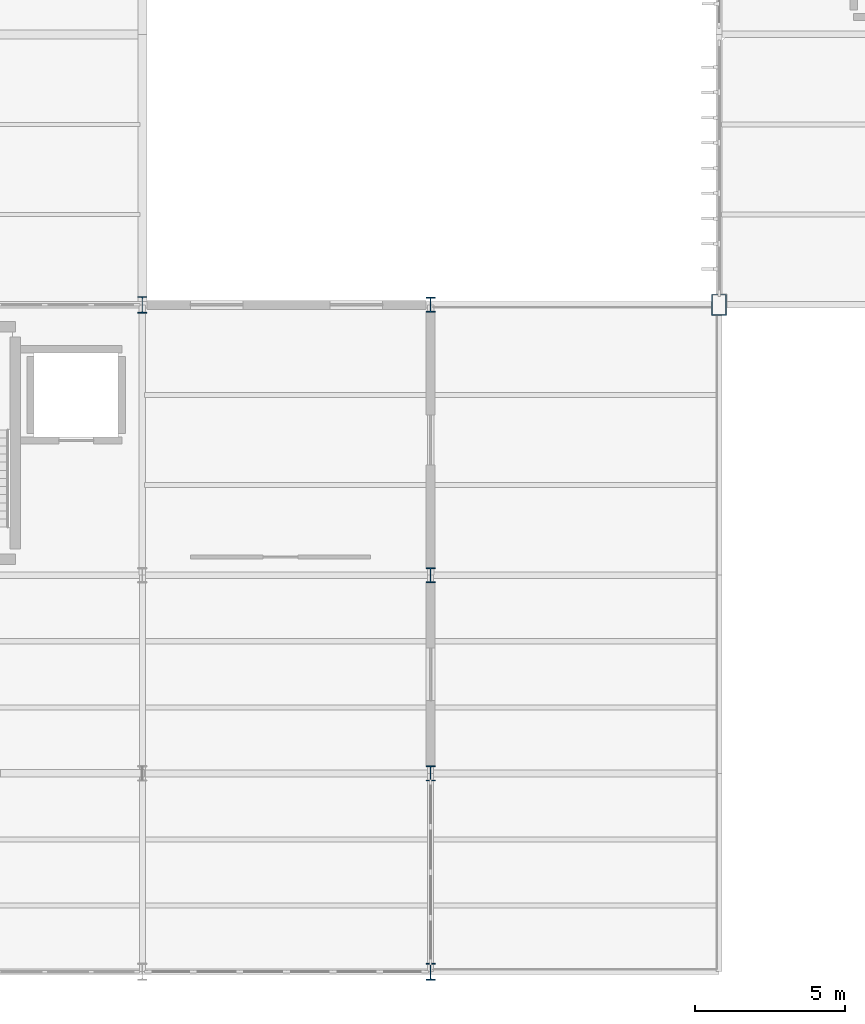
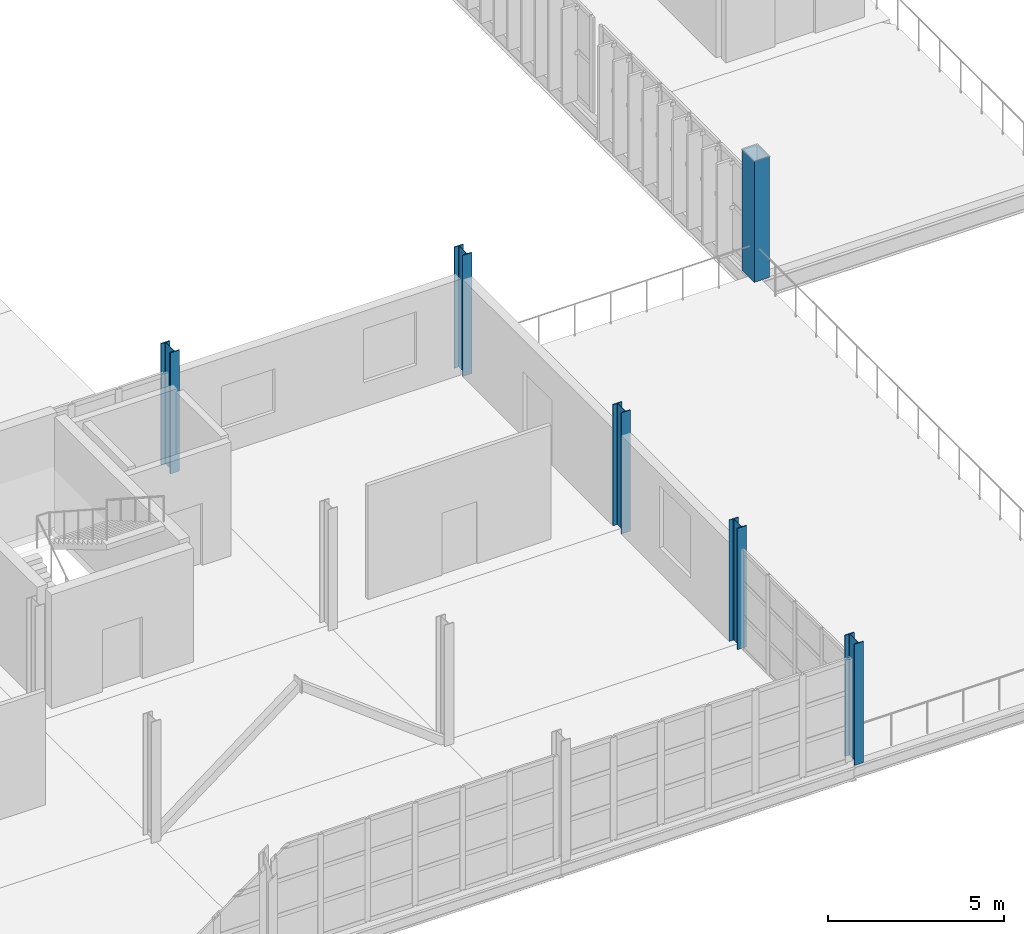
# One storey, part 2 of 82: 6 columns.
"""IFC4 building model written with IfcOpenShell, lengths in metres."""

import ifcopenshell
import ifcopenshell.guid

model = None  # the IFC model being written
_history = None  # IfcOwnerHistory: only IFC2X3 demands one
_inside = {}  # id of a spatial element -> (the spatial element, [elements in it])
_under = {}  # id of a project, library or spatial element -> (it, [spatial elements below it])
_declared = {}  # id of a project -> (the project, [libraries it declares])
_typed = {}  # id of a type object -> (the type object, [elements of that type])
_made_of = {}  # id of a material, layer set ... -> (it, [elements and type objects made of it])


def new_model(schema):
    """Start an empty IFC model of exactly this schema.

    Asked for "IFC4X3", IfcOpenShell would pick the latest addendum, in which some entities
    have other attributes; the version numbers below select the first issue.
    IFC2X3 requires an IfcOwnerHistory on every rooted entity: one is made here for all.
    """
    global model, _history
    if schema == "IFC4X3":
        model = ifcopenshell.file(schema_version=(4, 3, 0, 0))
    else:
        model = ifcopenshell.file(schema=schema)
    _inside.clear()
    _under.clear()
    _declared.clear()
    _typed.clear()
    _made_of.clear()
    _history = None
    if model.schema == "IFC2X3":
        org = make("IfcOrganization", Name="unknown")
        user = make(
            "IfcPersonAndOrganization",
            ThePerson=make("IfcPerson", FamilyName="unknown"),
            TheOrganization=org,
        )
        app = make(
            "IfcApplication",
            ApplicationDeveloper=org,
            Version="unknown",
            ApplicationFullName="unknown",
            ApplicationIdentifier="unknown",
        )
        _history = make(
            "IfcOwnerHistory",
            OwningUser=user,
            OwningApplication=app,
            ChangeAction="ADDED",
            CreationDate=0,
        )
    return model


def make(cls, **values):
    """One entity of the class cls with the attributes given. An attribute that is None is left unset."""
    return model.create_entity(
        cls, **{name: value for name, value in values.items() if value is not None}
    )


def rooted(cls, **values):
    """An entity with a GlobalId (a new one), such as an element, a storey or a relation."""
    return make(cls, GlobalId=ifcopenshell.guid.new(), OwnerHistory=_history, **values)


def si_unit(unit_type, name, prefix=None):
    """IfcSIUnit, for example si_unit("LENGTHUNIT", "METRE", prefix="MILLI")."""
    return make("IfcSIUnit", UnitType=unit_type, Prefix=prefix, Name=name)


def assignment(units):
    """IfcUnitAssignment: the units of a project."""
    return None if units is None else make("IfcUnitAssignment", Units=units)


def point(xyz):
    """IfcCartesianPoint."""
    return None if xyz is None else make("IfcCartesianPoint", Coordinates=xyz)


def direction(xyz):
    """IfcDirection."""
    return None if xyz is None else make("IfcDirection", DirectionRatios=xyz)


def frame(location, z_axis=None, x_axis=None):
    """IfcAxis2Placement3D, a coordinate frame: its origin and axes. An axis left out is left unset."""
    return make(
        "IfcAxis2Placement3D",
        Location=point(location),
        Axis=direction(z_axis),
        RefDirection=direction(x_axis),
    )


def frame_2d(location, x_axis=None):
    """IfcAxis2Placement2D, a coordinate frame in the plane: its origin and x axis."""
    return make(
        "IfcAxis2Placement2D", Location=point(location), RefDirection=direction(x_axis)
    )


def origin():
    """The frame at (0, 0, 0) with its axes left unset."""
    return frame((0.0, 0.0, 0.0))


def origin_2d():
    """The frame at (0, 0) in the plane with its x axis left unset."""
    return frame_2d((0.0, 0.0))


def place(relative_to, where):
    """IfcLocalPlacement: puts the frame where relative to a parent placement (None: the world)."""
    return make(
        "IfcLocalPlacement", PlacementRelTo=relative_to, RelativePlacement=where
    )


def context(
    kind, dimensions, precision=None, world=None, true_north=None, identifier=None
):
    """IfcGeometricRepresentationContext, for example the 3D "Model" context."""
    return make(
        "IfcGeometricRepresentationContext",
        ContextIdentifier=identifier,
        ContextType=kind,
        CoordinateSpaceDimension=dimensions,
        Precision=precision,
        WorldCoordinateSystem=world,
        TrueNorth=true_north,
    )


def subcontext(parent, identifier, kind, view, scale=None):
    """IfcGeometricRepresentationSubContext, for example "Body" below "Model"."""
    return make(
        "IfcGeometricRepresentationSubContext",
        ContextIdentifier=identifier,
        ContextType=kind,
        ParentContext=parent,
        TargetScale=scale,
        TargetView=view,
    )


def project(units=None, contexts=None):
    """IfcProject with its units and contexts."""
    return rooted(
        "IfcProject",
        Name="project",
        RepresentationContexts=contexts,
        UnitsInContext=assignment(units),
    )


def spatial(cls, under=None, at=None, **own):
    """A site, building, storey or space (cls), placed at a placement, below another one or the project."""
    s = rooted(cls, ObjectPlacement=at, **own)
    if under is not None:
        _under.setdefault(under.id(), (under, []))[1].append(s)
    return s


def profile(cls, at=None, kind="AREA", **sizes):
    """A parametric profile (cls). Its sizes go by their IFC names, for example OverallWidth=200.0."""
    return make(cls, ProfileType=kind, Position=at, **sizes)


def hollow_rectangle(**sizes):
    """IfcRectangleHollowProfileDef."""
    return profile("IfcRectangleHollowProfileDef", **sizes)


def i_section(**sizes):
    """IfcIShapeProfileDef."""
    return profile("IfcIShapeProfileDef", **sizes)


def extrude(swept, where, along, depth):
    """IfcExtrudedAreaSolid: the profile swept, set in the frame where, extruded along a direction by depth."""
    return make(
        "IfcExtrudedAreaSolid",
        SweptArea=swept,
        Position=where,
        ExtrudedDirection=direction(along),
        Depth=depth,
    )


def shape(context_of_items, identifier, shape_type, items):
    """IfcShapeRepresentation: the items that make up one representation, for example the "Body"."""
    return make(
        "IfcShapeRepresentation",
        ContextOfItems=context_of_items,
        RepresentationIdentifier=identifier,
        RepresentationType=shape_type,
        Items=items,
    )


def material(Name=None, Category=None):
    """IfcMaterial."""
    return make("IfcMaterial", Name=Name, Category=Category)


def material_profile(
    of_material, cross_section, Name=None, Category=None, Priority=None
):
    """IfcMaterialProfile: a cross section and its material."""
    return make(
        "IfcMaterialProfile",
        Name=Name,
        Material=of_material,
        Profile=cross_section,
        Priority=Priority,
        Category=Category,
    )


def profile_set(profiles, Name=None, composite=None):
    """IfcMaterialProfileSet."""
    return make(
        "IfcMaterialProfileSet",
        Name=Name,
        MaterialProfiles=profiles,
        CompositeProfile=composite,
    )


def made_of(thing, what):
    """Note that an element or type object is made of a material, layer set ...; save() writes the relation."""
    if what is not None:
        _made_of.setdefault(what.id(), (what, []))[1].append(thing)
    return thing


def type_object(cls, material=None, **own):
    """A type object (cls), such as IfcWallType, which elements share."""
    return made_of(rooted(cls, **own), material)


def element(
    cls,
    number,
    at=None,
    inside=None,
    cuts=None,
    type_object=None,
    material=None,
    context=None,
    identifier="Body",
    shape_type=None,
    held_by="IfcProductDefinitionShape",
    body=None,
    shapes=None,
    **own,
):
    """One element of the class cls, such as IfcWall. Its Tag is "e" and its number.

    at: its placement. inside: the storey or other place that contains it. cuts: it is an
    opening in that element (IfcRelVoidsElement). A single representation is given by context,
    identifier, shape_type and body (its items); several are given by shapes. held_by: the class
    of the entity that holds the representations. save() writes the other relations.
    """
    e = rooted(cls, Tag="e%d" % number, ObjectPlacement=at, **own)
    if body is not None:
        shapes = [shape(context, identifier, shape_type, body)]
    if shapes is not None:
        e.Representation = make(held_by, Representations=shapes)
    if inside is not None:
        _inside.setdefault(inside.id(), (inside, []))[1].append(e)
    if cuts is not None:
        rooted(
            "IfcRelVoidsElement", RelatingBuildingElement=cuts, RelatedOpeningElement=e
        )
    if type_object is not None:
        _typed.setdefault(type_object.id(), (type_object, []))[1].append(e)
    return made_of(e, material)


def aggregate(whole, parts):
    """IfcRelAggregates: a whole, such as a stair, and the parts it consists of."""
    return rooted("IfcRelAggregates", RelatingObject=whole, RelatedObjects=parts)


def save(model, path):
    """Write the relations noted so far, then the file.

    IfcRelAggregates (storeys below a building ...), IfcRelContainedInSpatialStructure (elements
    in a storey), IfcRelDefinesByType, IfcRelAssociatesMaterial and IfcRelDeclares: one each for
    every whole, place, type object, material and project.
    """
    for whole, parts in _under.values():
        aggregate(whole, parts)
    for where, things in _inside.values():
        rooted(
            "IfcRelContainedInSpatialStructure",
            RelatedElements=things,
            RelatingStructure=where,
        )
    for kind, things in _typed.values():
        rooted("IfcRelDefinesByType", RelatedObjects=things, RelatingType=kind)
    for what, things in _made_of.values():
        rooted("IfcRelAssociatesMaterial", RelatedObjects=things, RelatingMaterial=what)
    for by, libraries in _declared.values():
        rooted("IfcRelDeclares", RelatingContext=by, RelatedDefinitions=libraries)
    model.write(path)


model = new_model("IFC4")

# Units and contexts
model_context = context("Model", 3, precision=1e-05, world=origin(), true_north=direction((0.0, 1.0)))
body_context = subcontext(model_context, "Body", "Model", "MODEL_VIEW")
ifc_project = project(units=[si_unit("LENGTHUNIT", "METRE"), si_unit("AREAUNIT", "SQUARE_METRE"), si_unit("VOLUMEUNIT", "CUBIC_METRE"), si_unit("PLANEANGLEUNIT", "RADIAN"), si_unit("MASSUNIT", "GRAM", prefix="KILO")], contexts=[model_context])

# Site, building, storey
site_placement = place(None, origin())
site = spatial("IfcSite", under=ifc_project, at=site_placement, CompositionType="ELEMENT")
building_placement = place(site_placement, origin())
building = spatial("IfcBuilding", under=site, at=building_placement, Name="Zarnetskaya Central Station", CompositionType="ELEMENT")
storey_placement = place(building_placement, frame((0.0, 0.0, 10.199951171875)))
storey = spatial("IfcBuildingStorey", under=building, at=storey_placement, Name="L02", CompositionType="ELEMENT", Elevation=10.199951171875)

# Columns
ifc_material = material(Name="Steel S355", Category="steel")
ifc_material_profile_1 = material_profile(ifc_material, hollow_rectangle(XDim=0.5, YDim=0.699951171875, WallThickness=0.031982421875, at=origin_2d()), Name="BOX 700x500x32")
ifc_profile_set_1 = profile_set([ifc_material_profile_1], Name="Steel S355")
column_type_1 = type_object("IfcColumnType", Name="COL-V2-HALL", PredefinedType="COLUMN", material=ifc_profile_set_1)
column_placement = place(storey_placement, frame((57.60009765625, 22.199951171875, 0.0), z_axis=(0.0, 0.0, 1.0), x_axis=(1.0, 0.0, 0.0)))
element("IfcColumn", 1, at=column_placement, inside=storey, type_object=column_type_1, Name="Column G4 L02", PredefinedType="COLUMN", context=body_context, shape_type="SweptSolid", body=[
    extrude(hollow_rectangle(XDim=0.5, YDim=0.699951171875, WallThickness=0.031982421875, at=origin_2d()), origin(), (0.0, 0.0, 1.0), 4.18798828125),
])
ifc_material_profile_2 = material_profile(ifc_material, i_section(OverallWidth=0.300048828125, OverallDepth=0.550048828125, WebThickness=0.014892578125, FlangeThickness=0.029052734375, FilletRadius=0.027099609375, at=origin_2d()), Name="HEB 550")
ifc_profile_set_2 = profile_set([ifc_material_profile_2], Name="Steel S355")
column_type_2 = type_object("IfcColumnType", Name="COL-V5-MID-E", PredefinedType="COLUMN", material=ifc_profile_set_2)
for number, where, z_axis, x_axis, name in (
    (2, (38.39990234375, 22.199951171875, 0.0), (0.0, 0.0, 1.0), (1.0, 0.0, 0.0), "Column E4 L02"),
    (3, (48.0, 0.0, 0.0), (0.0, 0.0, 1.0), (1.0, 0.0, 0.0), "Column F1 L02"),
):
    element("IfcColumn", number, at=place(storey_placement, frame(where, z_axis=z_axis, x_axis=x_axis)), inside=storey, type_object=column_type_2, Name=name, PredefinedType="COLUMN", context=body_context, shape_type="SweptSolid", body=[
        extrude(i_section(OverallWidth=0.300048828125, OverallDepth=0.550048828125, WebThickness=0.014892578125, FlangeThickness=0.029052734375, FilletRadius=0.027099609375, at=origin_2d()), origin(), (0.0, 0.0, 1.0), 4.199951171875),
    ])
ifc_material_profile_3 = material_profile(ifc_material, i_section(OverallWidth=0.300048828125, OverallDepth=0.5, WebThickness=0.014404296875, FlangeThickness=0.028076171875, FilletRadius=0.027099609375, at=origin_2d()), Name="HEB 500")
ifc_profile_set_3 = profile_set([ifc_material_profile_3], Name="Steel S355")
column_type_3 = type_object("IfcColumnType", Name="COL-V5-MID-I", PredefinedType="COLUMN", material=ifc_profile_set_3)
for number, where, z_axis, x_axis, name in (
    (4, (48.0, 6.60009765625, 0.0), (0.0, 0.0, 1.0), (1.0, 0.0, 0.0), "Column F2 L02"),
    (5, (48.0, 13.199951171875, 0.0), (0.0, 0.0, 1.0), (1.0, 0.0, 0.0), "Column F3 L02"),
    (6, (48.0, 22.199951171875, 0.0), (0.0, 0.0, 1.0), (1.0, 0.0, 0.0), "Column F4 L02"),
):
    element("IfcColumn", number, at=place(storey_placement, frame(where, z_axis=z_axis, x_axis=x_axis)), inside=storey, type_object=column_type_3, Name=name, PredefinedType="COLUMN", context=body_context, shape_type="SweptSolid", body=[
        extrude(i_section(OverallWidth=0.300048828125, OverallDepth=0.5, WebThickness=0.014404296875, FlangeThickness=0.028076171875, FilletRadius=0.027099609375, at=origin_2d()), origin(), (0.0, 0.0, 1.0), 4.199951171875),
    ])

save(model, "model.ifc")
